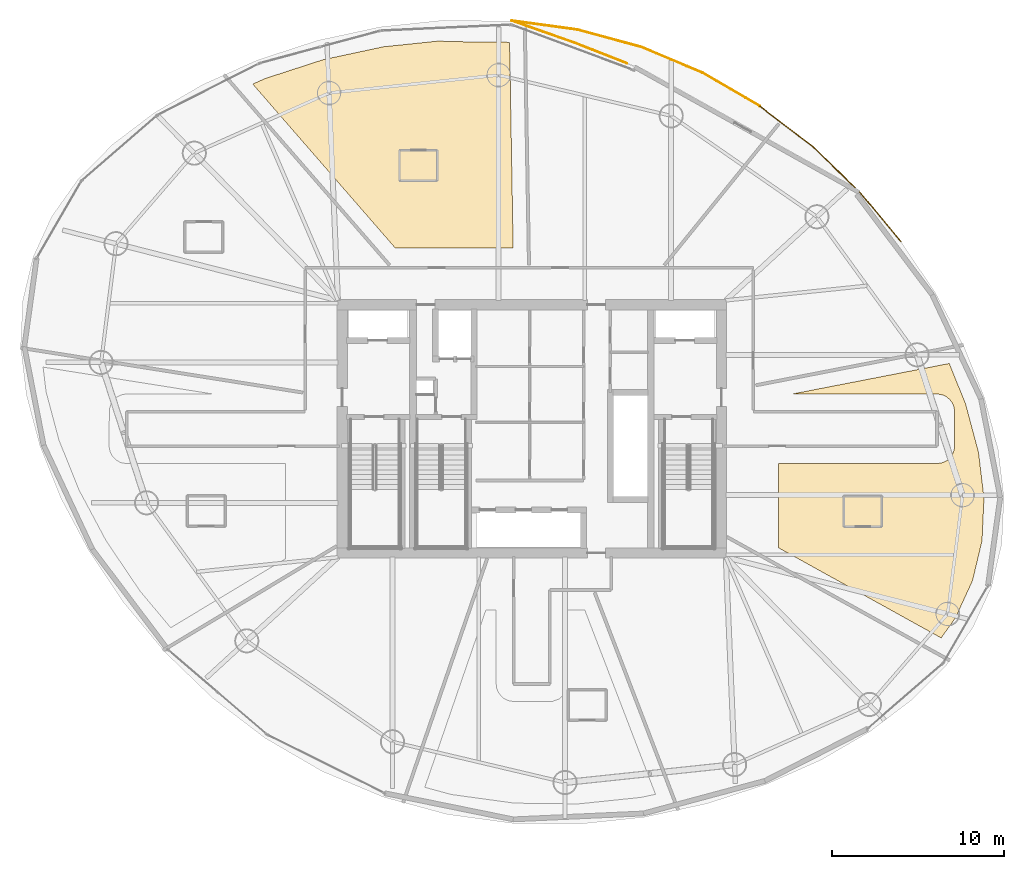
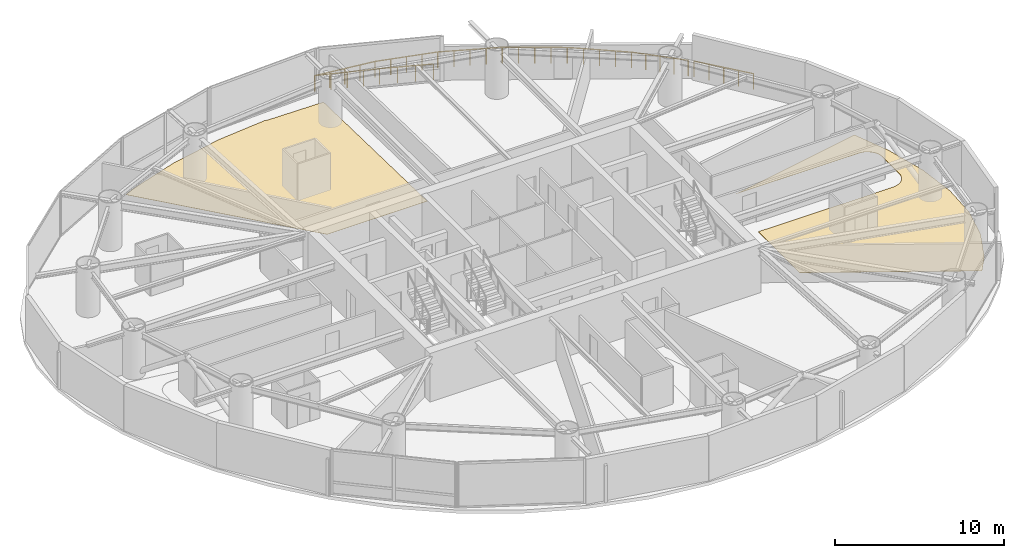
# One storey, part 19 of 19: 9 railings, 2 coverings.
"""IFC4 building model written with IfcOpenShell, lengths in metres."""

from ifc_helpers import new_model, si_unit, direction, frame, origin, origin_2d, place, context, subcontext, project, spatial, polyline, circle, outline, extrude, material, layer, layer_set, type_object, element, save


model = new_model("IFC4")

# Units and contexts
model_context = context("Model", 3, precision=1e-05, world=origin(), true_north=direction((0.0, 1.0)))
body_context = subcontext(model_context, "Body", "Model", "MODEL_VIEW")
ifc_project = project(units=[si_unit("LENGTHUNIT", "METRE"), si_unit("AREAUNIT", "SQUARE_METRE"), si_unit("VOLUMEUNIT", "CUBIC_METRE"), si_unit("PLANEANGLEUNIT", "RADIAN"), si_unit("MASSUNIT", "GRAM", prefix="KILO")], contexts=[model_context])

# Site, building, storey
site_placement = place(None, origin())
site = spatial("IfcSite", under=ifc_project, at=site_placement, CompositionType="ELEMENT")
building_placement = place(site_placement, origin())
building = spatial("IfcBuilding", under=site, at=building_placement, Name="Bramvorn Convention Spire", CompositionType="ELEMENT")
storey_placement = place(building_placement, frame((0.0, 0.0, 109.800048828125)))
storey = spatial("IfcBuildingStorey", under=building, at=storey_placement, Name="L26", CompositionType="ELEMENT", Elevation=109.800048828125)

# Coverings
ifc_material_1 = material(Name="Solution-Dyed Wool Broadloom Hospitality Carpet", Category="textile")
ifc_layer = layer(ifc_material_1, 0.014892578125)
ifc_layer_set = layer_set([ifc_layer], Name="Solution-Dyed Wool Broadloom Hospitality Carpet - FLR-CARPET-15")
covering_type = type_object("IfcCoveringType", Name="FLR-CARPET-15", PredefinedType="FLOORING", material=ifc_layer_set)
covering_1_placement = place(storey_placement, origin())
element("IfcCovering", 1, at=covering_1_placement, inside=storey, type_object=covering_type, Name="Hotel Suite 2603 wool broadloom carpet", PredefinedType="FLOORING", context=body_context, shape_type="SweptSolid", body=[
    extrude(outline(polyline([(22.548583984375, 46.324462890625), (21.809326171875, 45.9970703125), (30.06494140625, 36.5), (36.91650390625, 36.5), (36.708984375, 48.388671875), (36.614501953125, 48.42138671875), (32.982421875, 48.462890625), (32.71875, 48.505615234375), (29.39990234375, 48.16162109375), (25.87353515625, 47.4052734375), (22.548583984375, 46.324462890625)])), origin(), (0.0, 0.0, 1.0), 0.014892578125),
])
covering_2_placement = place(storey_placement, origin())
element("IfcCovering", 2, at=covering_2_placement, inside=storey, type_object=covering_type, Name="Hotel Suite 2609 wool broadloom carpet", PredefinedType="FLOORING", context=body_context, shape_type="SweptSolid", body=[
    extrude(outline(polyline([(61.555908203125, 28.018310546875), (61.837890625, 27.962158203125), (62.029296875, 27.87158203125), (62.251708984375, 27.689208984375), (62.37158203125, 27.529296875), (62.462158203125, 27.337890625), (62.518310546875, 27.055908203125), (62.508056640625, 24.844482421875), (62.424560546875, 24.5693359375), (62.259521484375, 24.319580078125), (62.102783203125, 24.17724609375), (61.837890625, 24.037841796875), (61.5, 23.97998046875), (52.300048828125, 23.97998046875), (52.300048828125, 19.102294921875), (61.742431640625, 13.868408203125), (62.57421875, 15.04052734375), (63.562744140625, 17.197998046875), (64.112060546875, 19.5068359375), (64.2265625, 21.98583984375), (63.90771484375, 24.63720703125), (63.158935546875, 27.4384765625), (62.21337890625, 29.789794921875), (53.10888671875, 28.02001953125), (61.555908203125, 28.018310546875)])), origin(), (0.0, 0.0, 1.0), 0.014892578125),
])

# Railings
ifc_material_2 = material(Name="Bronze Cap-Rail & Laminated Structural Glass Balustrade", Category="glass")
railing_type = type_object("IfcRailingType", Name="RL-TERR-GUARD-1150", PredefinedType="GUARDRAIL", material=ifc_material_2)
railing_1_placement = place(storey_placement, frame((36.8330078125, 49.669189453125, 0.0)))
element("IfcRailing", 3, at=railing_1_placement, inside=storey, type_object=railing_type, Name="L26 Sky Garden perimeter safety guardrail 1", PredefinedType="GUARDRAIL", context=body_context, shape_type="SweptSolid", body=[
    extrude(circle(Radius=0.02392578125, at=origin_2d()), frame((0.0, 0.0, 1.1259765625), z_axis=(0.943478126891, -0.331434796118, 0.0), x_axis=(0.331434796118, 0.943478126891, 0.0)), (0.0, 0.0, 1.0), 3.900390625),
    extrude(circle(Radius=0.02099609375, at=origin_2d()), origin(), (0.0, 0.0, 1.0), 1.101806640625),
    extrude(circle(Radius=0.02099609375, at=origin_2d()), frame((0.919921875, -0.3232421875, 0.0)), (0.0, 0.0, 1.0), 1.101806640625),
    extrude(circle(Radius=0.02099609375, at=origin_2d()), frame((1.83984375, -0.646484375, 0.0)), (0.0, 0.0, 1.0), 1.101806640625),
    extrude(circle(Radius=0.02099609375, at=origin_2d()), frame((2.760009765625, -0.969482421875, 0.0)), (0.0, 0.0, 1.0), 1.101806640625),
    extrude(circle(Radius=0.02099609375, at=origin_2d()), frame((3.679931640625, -1.292724609375, 0.0)), (0.0, 0.0, 1.0), 1.101806640625),
])
railing_2_placement = place(storey_placement, frame((40.512939453125, 48.37646484375, 0.0)))
element("IfcRailing", 4, at=railing_2_placement, inside=storey, type_object=railing_type, Name="L26 Sky Garden perimeter safety guardrail 2", PredefinedType="GUARDRAIL", context=body_context, shape_type="SweptSolid", body=[
    extrude(circle(Radius=0.02392578125, at=origin_2d()), frame((0.0, 0.0, 1.1259765625), z_axis=(0.930489778011, -0.366317857901, 0.0), x_axis=(0.366317857901, 0.930489778011, 0.0)), (0.0, 0.0, 1.0), 3.22314453125),
    extrude(circle(Radius=0.02099609375, at=origin_2d()), origin(), (0.0, 0.0, 1.0), 1.101806640625),
    extrude(circle(Radius=0.02099609375, at=origin_2d()), frame((0.999755859375, -0.3935546875, 0.0)), (0.0, 0.0, 1.0), 1.101806640625),
    extrude(circle(Radius=0.02099609375, at=origin_2d()), frame((1.999267578125, -0.787109375, 0.0)), (0.0, 0.0, 1.0), 1.101806640625),
    extrude(circle(Radius=0.02099609375, at=origin_2d()), frame((2.9990234375, -1.1806640625, 0.0)), (0.0, 0.0, 1.0), 1.101806640625),
])
railing_3_placement = place(storey_placement, frame((56.75439453125, 39.990966796875, 0.0)))
element("IfcRailing", 5, at=railing_3_placement, inside=storey, type_object=railing_type, Name="L26 Sky Garden perimeter safety guardrail 3", PredefinedType="GUARDRAIL", context=body_context, shape_type="SweptSolid", body=[
    extrude(circle(Radius=0.02392578125, at=origin_2d()), frame((0.0, 0.0, 1.1259765625), z_axis=(-0.719488038797, 0.694504832256, 0.0), x_axis=(-0.694504832256, -0.719488038797, 0.0)), (0.0, 0.0, 1.0), 3.449462890625),
    extrude(circle(Radius=0.02099609375, at=origin_2d()), origin(), (0.0, 0.0, 1.0), 1.101806640625),
    extrude(circle(Radius=0.02099609375, at=origin_2d()), frame((-0.62060546875, 0.598876953125, 0.0)), (0.0, 0.0, 1.0), 1.101806640625),
    extrude(circle(Radius=0.02099609375, at=origin_2d()), frame((-1.240966796875, 1.19775390625, 0.0)), (0.0, 0.0, 1.0), 1.101806640625),
    extrude(circle(Radius=0.02099609375, at=origin_2d()), frame((-1.861328125, 1.796875, 0.0)), (0.0, 0.0, 1.0), 1.101806640625),
    extrude(circle(Radius=0.02099609375, at=origin_2d()), frame((-2.48193359375, 2.395751953125, 0.0)), (0.0, 0.0, 1.0), 1.101806640625),
])
railing_4_placement = place(storey_placement, frame((54.2724609375, 42.38671875, 0.0)))
element("IfcRailing", 6, at=railing_4_placement, inside=storey, type_object=railing_type, Name="L26 Sky Garden perimeter safety guardrail 4", PredefinedType="GUARDRAIL", context=body_context, shape_type="SweptSolid", body=[
    extrude(circle(Radius=0.02392578125, at=origin_2d()), frame((0.0, 0.0, 1.1259765625), z_axis=(-0.794955283948, 0.606668028269, 0.0), x_axis=(-0.606668028269, -0.794955283948, 0.0)), (0.0, 0.0, 1.0), 3.836669921875),
    extrude(circle(Radius=0.02099609375, at=origin_2d()), origin(), (0.0, 0.0, 1.0), 1.101806640625),
    extrude(circle(Radius=0.02099609375, at=origin_2d()), frame((-0.762451171875, 0.58203125, 0.0)), (0.0, 0.0, 1.0), 1.101806640625),
    extrude(circle(Radius=0.02099609375, at=origin_2d()), frame((-1.52490234375, 1.163818359375, 0.0)), (0.0, 0.0, 1.0), 1.101806640625),
    extrude(circle(Radius=0.02099609375, at=origin_2d()), frame((-2.28759765625, 1.74560546875, 0.0)), (0.0, 0.0, 1.0), 1.101806640625),
    extrude(circle(Radius=0.02099609375, at=origin_2d()), frame((-3.050048828125, 2.32763671875, 0.0)), (0.0, 0.0, 1.0), 1.101806640625),
])
railing_5_placement = place(storey_placement, frame((51.222412109375, 44.71435546875, 0.0)))
element("IfcRailing", 7, at=railing_5_placement, inside=storey, type_object=railing_type, Name="L26 Sky Garden perimeter safety guardrail 5", PredefinedType="GUARDRAIL", context=body_context, shape_type="SweptSolid", body=[
    extrude(circle(Radius=0.02392578125, at=origin_2d()), frame((0.0, 0.0, 1.1259765625), z_axis=(-0.863845668099, 0.503756550038, 0.0), x_axis=(-0.503756550038, -0.863845668099, 0.0)), (0.0, 0.0, 1.0), 3.845703125),
    extrude(circle(Radius=0.02099609375, at=origin_2d()), origin(), (0.0, 0.0, 1.0), 1.101806640625),
    extrude(circle(Radius=0.02099609375, at=origin_2d()), frame((-0.83056640625, 0.484375, 0.0)), (0.0, 0.0, 1.0), 1.101806640625),
    extrude(circle(Radius=0.02099609375, at=origin_2d()), frame((-1.6611328125, 0.96875, 0.0)), (0.0, 0.0, 1.0), 1.101806640625),
    extrude(circle(Radius=0.02099609375, at=origin_2d()), frame((-2.491455078125, 1.452880859375, 0.0)), (0.0, 0.0, 1.0), 1.101806640625),
    extrude(circle(Radius=0.02099609375, at=origin_2d()), frame((-3.322021484375, 1.937255859375, 0.0)), (0.0, 0.0, 1.0), 1.101806640625),
])
railing_6_placement = place(storey_placement, frame((47.900390625, 46.651611328125, 0.0)))
element("IfcRailing", 8, at=railing_6_placement, inside=storey, type_object=railing_type, Name="L26 Sky Garden perimeter safety guardrail 6", PredefinedType="GUARDRAIL", context=body_context, shape_type="SweptSolid", body=[
    extrude(circle(Radius=0.02392578125, at=origin_2d()), frame((0.0, 0.0, 1.1259765625), z_axis=(-0.921929063337, 0.387358751255, 0.0), x_axis=(-0.387358751255, -0.921929063337, 0.0)), (0.0, 0.0, 1.0), 3.845947265625),
    extrude(circle(Radius=0.02099609375, at=origin_2d()), origin(), (0.0, 0.0, 1.0), 1.101806640625),
    extrude(circle(Radius=0.02099609375, at=origin_2d()), frame((-0.886474609375, 0.37255859375, 0.0)), (0.0, 0.0, 1.0), 1.101806640625),
    extrude(circle(Radius=0.02099609375, at=origin_2d()), frame((-1.77294921875, 0.744873046875, 0.0)), (0.0, 0.0, 1.0), 1.101806640625),
    extrude(circle(Radius=0.02099609375, at=origin_2d()), frame((-2.6591796875, 1.1171875, 0.0)), (0.0, 0.0, 1.0), 1.101806640625),
    extrude(circle(Radius=0.02099609375, at=origin_2d()), frame((-3.545654296875, 1.48974609375, 0.0)), (0.0, 0.0, 1.0), 1.101806640625),
])
railing_7_placement = place(storey_placement, frame((44.354736328125, 48.141357421875, 0.0)))
element("IfcRailing", 9, at=railing_7_placement, inside=storey, type_object=railing_type, Name="L26 Sky Garden perimeter safety guardrail 7", PredefinedType="GUARDRAIL", context=body_context, shape_type="SweptSolid", body=[
    extrude(circle(Radius=0.02392578125, at=origin_2d()), frame((0.0, 0.0, 1.1259765625), z_axis=(-0.964984689445, 0.262306212538, 0.0), x_axis=(-0.262306212538, -0.964984689445, 0.0)), (0.0, 0.0, 1.0), 3.845947265625),
    extrude(circle(Radius=0.02099609375, at=origin_2d()), origin(), (0.0, 0.0, 1.0), 1.101806640625),
    extrude(circle(Radius=0.02099609375, at=origin_2d()), frame((-0.927734375, 0.252197265625, 0.0)), (0.0, 0.0, 1.0), 1.101806640625),
    extrude(circle(Radius=0.02099609375, at=origin_2d()), frame((-1.85546875, 0.50439453125, 0.0)), (0.0, 0.0, 1.0), 1.101806640625),
    extrude(circle(Radius=0.02099609375, at=origin_2d()), frame((-2.783447265625, 0.756591796875, 0.0)), (0.0, 0.0, 1.0), 1.101806640625),
    extrude(circle(Radius=0.02099609375, at=origin_2d()), frame((-3.711181640625, 1.0087890625, 0.0)), (0.0, 0.0, 1.0), 1.101806640625),
])
railing_8_placement = place(storey_placement, frame((40.6435546875, 49.150146484375, 0.0)))
element("IfcRailing", 10, at=railing_8_placement, inside=storey, type_object=railing_type, Name="L26 Sky Garden perimeter safety guardrail 8", PredefinedType="GUARDRAIL", context=body_context, shape_type="SweptSolid", body=[
    extrude(circle(Radius=0.02392578125, at=origin_2d()), frame((0.0, 0.0, 1.1259765625), z_axis=(-0.990850245174, 0.134965890648, 0.0), x_axis=(-0.134965890648, -0.990850245174, 0.0)), (0.0, 0.0, 1.0), 3.845703125),
    extrude(circle(Radius=0.02099609375, at=origin_2d()), origin(), (0.0, 0.0, 1.0), 1.101806640625),
    extrude(circle(Radius=0.02099609375, at=origin_2d()), frame((-0.95263671875, 0.1298828125, 0.0)), (0.0, 0.0, 1.0), 1.101806640625),
    extrude(circle(Radius=0.02099609375, at=origin_2d()), frame((-1.9052734375, 0.259521484375, 0.0)), (0.0, 0.0, 1.0), 1.101806640625),
    extrude(circle(Radius=0.02099609375, at=origin_2d()), frame((-2.85791015625, 0.38916015625, 0.0)), (0.0, 0.0, 1.0), 1.101806640625),
    extrude(circle(Radius=0.02099609375, at=origin_2d()), frame((-3.810546875, 0.51904296875, 0.0)), (0.0, 0.0, 1.0), 1.101806640625),
])
railing_9_placement = place(storey_placement, frame((57.01025390625, 39.743896484375, 0.0)))
element("IfcRailing", 11, at=railing_9_placement, inside=storey, type_object=railing_type, Name="L26 Sky Garden junction edge safety guardrail 9", PredefinedType="GUARDRAIL", context=body_context, shape_type="SweptSolid", body=[
    extrude(circle(Radius=0.02392578125, at=origin_2d()), frame((0.0, 0.0, 1.1259765625), z_axis=(0.640197248018, -0.768210572454, 0.0), x_axis=(0.768210572454, 0.640197248018, 0.0)), (0.0, 0.0, 1.0), 3.738037109375),
    extrude(circle(Radius=0.02099609375, at=origin_2d()), origin(), (0.0, 0.0, 1.0), 1.101806640625),
    extrude(circle(Radius=0.02099609375, at=origin_2d()), frame((0.59814453125, -0.7177734375, 0.0)), (0.0, 0.0, 1.0), 1.101806640625),
    extrude(circle(Radius=0.02099609375, at=origin_2d()), frame((1.196533203125, -1.435791015625, 0.0)), (0.0, 0.0, 1.0), 1.101806640625),
    extrude(circle(Radius=0.02099609375, at=origin_2d()), frame((1.794921875, -2.15380859375, 0.0)), (0.0, 0.0, 1.0), 1.101806640625),
    extrude(circle(Radius=0.02099609375, at=origin_2d()), frame((2.39306640625, -2.87158203125, 0.0)), (0.0, 0.0, 1.0), 1.101806640625),
])

save(model, "model.ifc")
